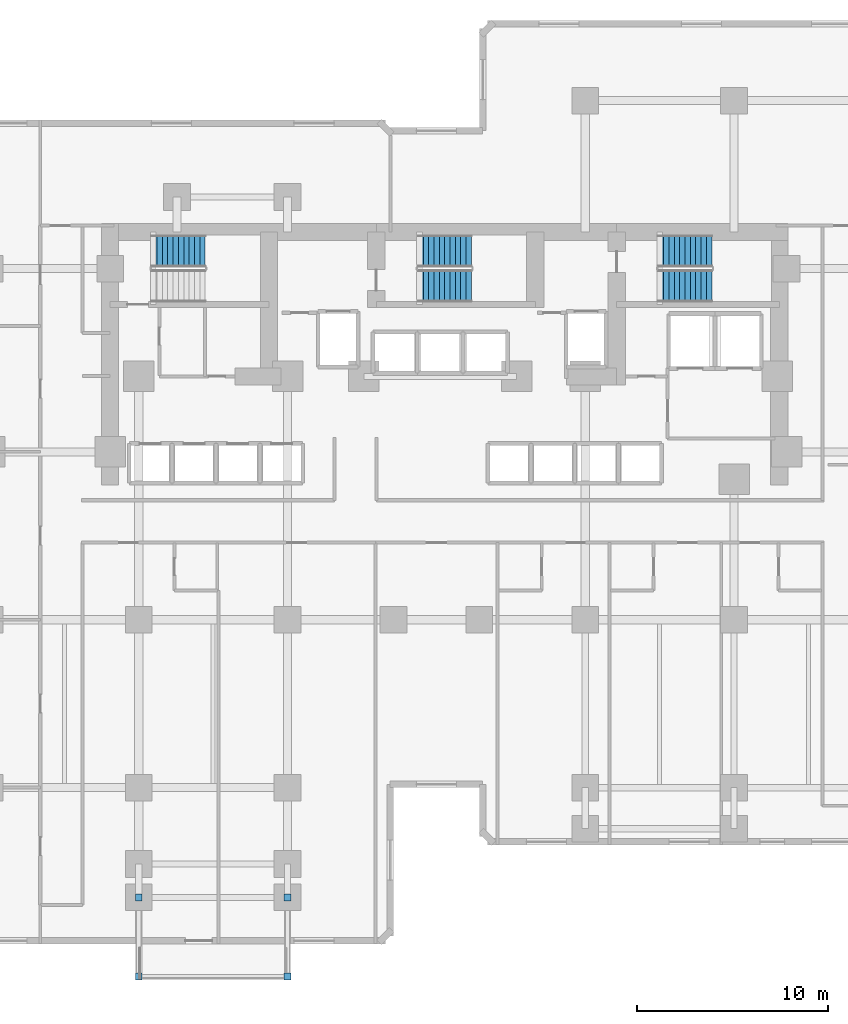
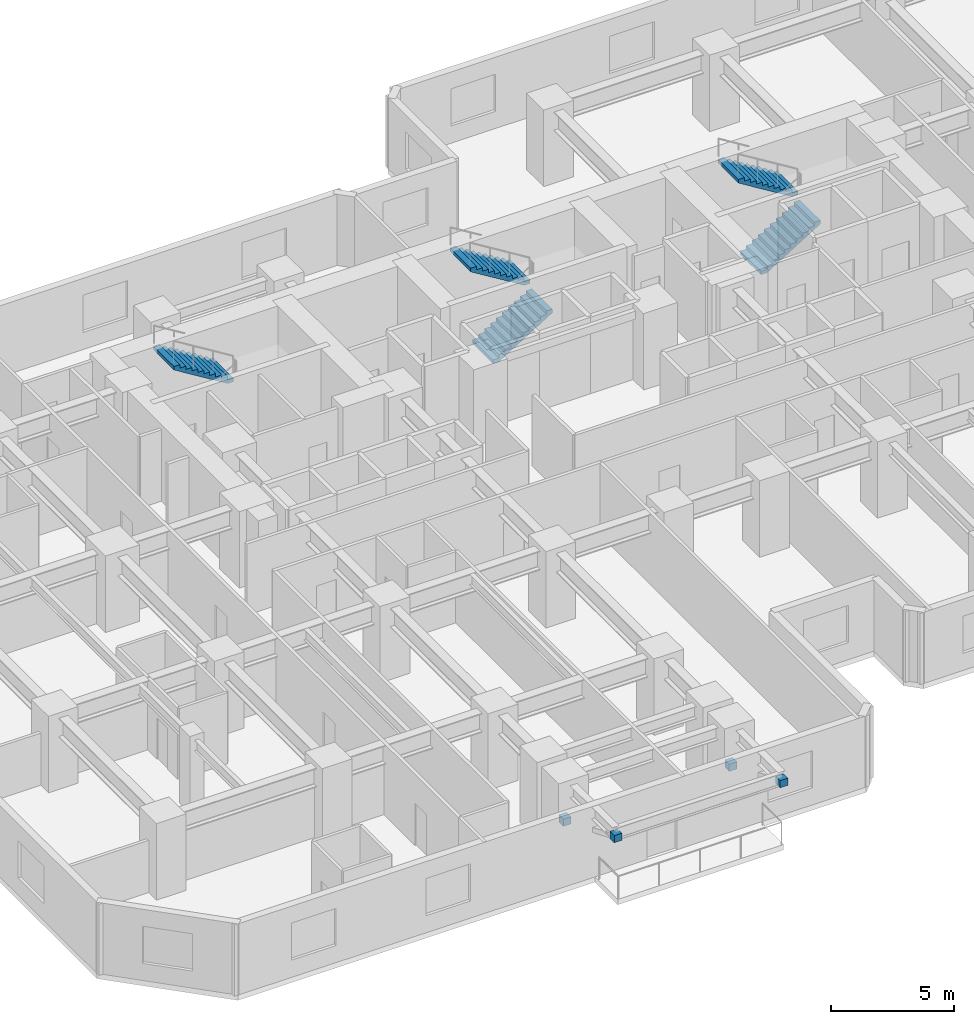
# One storey, part 10 of 12: 5 stair flights, 4 discrete accessories, 3 elements without a shape of their own.
"""IFC4 building model written with IfcOpenShell, lengths in metres."""

from ifc_helpers import new_model, si_unit, direction, frame, origin, origin_2d, place, context, subcontext, project, spatial, polyline, rectangle, outline, extrude, material, type_object, element, aggregate, save


model = new_model("IFC4")

# Units and contexts
model_context = context("Model", 3, precision=1e-05, world=origin(), true_north=direction((0.0, 1.0)))
body_context = subcontext(model_context, "Body", "Model", "MODEL_VIEW")
ifc_project = project(units=[si_unit("LENGTHUNIT", "METRE"), si_unit("AREAUNIT", "SQUARE_METRE"), si_unit("VOLUMEUNIT", "CUBIC_METRE"), si_unit("PLANEANGLEUNIT", "RADIAN"), si_unit("MASSUNIT", "GRAM", prefix="KILO")], contexts=[model_context])

# Site, building, storey
site_placement = place(None, origin())
site = spatial("IfcSite", under=ifc_project, at=site_placement, CompositionType="ELEMENT")
building_placement = place(site_placement, origin())
building = spatial("IfcBuilding", under=site, at=building_placement, Name="Kestravale Grand Hotel", CompositionType="ELEMENT")
storey_placement = place(building_placement, frame((0.0, 0.0, 67.800048828125)))
storey = spatial("IfcBuildingStorey", under=building, at=storey_placement, Name="L16", CompositionType="ELEMENT", Elevation=67.800048828125)

# Stair, stair flight
ifc_material_1 = material(Name="Concrete f'c 45 MPa", Category="concrete")
stair_type = type_object("IfcStairType", Name="ST-CORE-380", PredefinedType="HALF_TURN_STAIR", material=ifc_material_1)
stair_1_placement = place(storey_placement, origin())
stair_1 = element("IfcStair", 1, at=stair_1_placement, inside=storey, type_object=stair_type, Name="L16 ST-1", PredefinedType="HALF_TURN_STAIR")
ifc_material_2 = material(Name="Concrete f'c 45 MPa", Category="concrete")
stair_flight_type = type_object("IfcStairFlightType", Name="STF-CORE-380", PredefinedType="STRAIGHT", material=ifc_material_2)
stair_flight_1_placement = place(storey_placement, frame((26.8798828125, 39.320068359375, 1.89990234375), z_axis=(0.0, 0.0, 1.0), x_axis=(-1.0, 0.0, 0.0)))
stair_flight_1 = element("IfcStairFlight", 2, at=stair_flight_1_placement, type_object=stair_flight_type, Name="ST-1 flight 2", NumberOfRisers=11, NumberOfTreads=10, PredefinedType="STRAIGHT", RiserHeight=0.172727273, TreadLength=0.28, context=body_context, shape_type="SweptSolid", body=[
    extrude(outline(polyline([(0.0, 0.0), (0.0, 0.172607421875), (0.280029296875, 0.172607421875), (0.280029296875, 0.345458984375), (0.56005859375, 0.345458984375), (0.56005859375, 0.51806640625), (0.840087890625, 0.51806640625), (0.840087890625, 0.69091796875), (1.1201171875, 0.69091796875), (1.1201171875, 0.863525390625), (1.39990234375, 0.863525390625), (1.39990234375, 1.036376953125), (1.679931640625, 1.036376953125), (1.679931640625, 1.208984375), (1.9599609375, 1.208984375), (1.9599609375, 1.3818359375), (2.239990234375, 1.3818359375), (2.239990234375, 1.554443359375), (2.52001953125, 1.554443359375), (2.52001953125, 1.727294921875), (2.800048828125, 1.727294921875), (2.800048828125, 1.89990234375), (2.800048828125, 1.551025390625), (0.285400390625, 0.0), (0.0, 0.0)])), frame((0.0, 0.83984375, 0.0), z_axis=(0.0, -1.0, 0.0), x_axis=(1.0, 0.0, 0.0)), (0.0, 0.0, 1.0), 1.679931640625),
])
aggregate(stair_1, [stair_flight_1])

# Stair, stair flights
stair_2_placement = place(storey_placement, origin())
stair_2 = element("IfcStair", 3, at=stair_2_placement, inside=storey, type_object=stair_type, Name="L16 ST-2", PredefinedType="HALF_TURN_STAIR")
stair_flight_2_placement = place(storey_placement, frame((38.030029296875, 37.489990234375, 0.0), z_axis=(0.0, 0.0, 1.0), x_axis=(1.0, 0.0, 0.0)))
stair_flight_2 = element("IfcStairFlight", 4, at=stair_flight_2_placement, type_object=stair_flight_type, Name="ST-2 flight 1", NumberOfRisers=11, NumberOfTreads=10, PredefinedType="STRAIGHT", RiserHeight=0.172727273, TreadLength=0.28, context=body_context, shape_type="SweptSolid", body=[
    extrude(outline(polyline([(0.0, 0.0), (0.0, 0.172607421875), (0.280029296875, 0.172607421875), (0.280029296875, 0.345458984375), (0.56005859375, 0.345458984375), (0.56005859375, 0.51806640625), (0.840087890625, 0.51806640625), (0.840087890625, 0.69091796875), (1.1201171875, 0.69091796875), (1.1201171875, 0.863525390625), (1.39990234375, 0.863525390625), (1.39990234375, 1.036376953125), (1.679931640625, 1.036376953125), (1.679931640625, 1.208984375), (1.9599609375, 1.208984375), (1.9599609375, 1.3818359375), (2.239990234375, 1.3818359375), (2.239990234375, 1.554443359375), (2.52001953125, 1.554443359375), (2.52001953125, 1.727294921875), (2.800048828125, 1.727294921875), (2.800048828125, 1.89990234375), (2.800048828125, 1.551025390625), (0.285400390625, 0.0), (0.0, 0.0)])), frame((0.0, 0.83984375, 0.0), z_axis=(0.0, -1.0, 0.0), x_axis=(1.0, 0.0, 0.0)), (0.0, 0.0, 1.0), 1.679931640625),
])
stair_flight_3_placement = place(storey_placement, frame((40.830078125, 39.320068359375, 1.89990234375), z_axis=(0.0, 0.0, 1.0), x_axis=(-1.0, 0.0, 0.0)))
stair_flight_3 = element("IfcStairFlight", 5, at=stair_flight_3_placement, type_object=stair_flight_type, Name="ST-2 flight 2", NumberOfRisers=11, NumberOfTreads=10, PredefinedType="STRAIGHT", RiserHeight=0.172727273, TreadLength=0.28, context=body_context, shape_type="SweptSolid", body=[
    extrude(outline(polyline([(0.0, 0.0), (0.0, 0.172607421875), (0.280029296875, 0.172607421875), (0.280029296875, 0.345458984375), (0.56005859375, 0.345458984375), (0.56005859375, 0.51806640625), (0.840087890625, 0.51806640625), (0.840087890625, 0.69091796875), (1.1201171875, 0.69091796875), (1.1201171875, 0.863525390625), (1.39990234375, 0.863525390625), (1.39990234375, 1.036376953125), (1.679931640625, 1.036376953125), (1.679931640625, 1.208984375), (1.9599609375, 1.208984375), (1.9599609375, 1.3818359375), (2.239990234375, 1.3818359375), (2.239990234375, 1.554443359375), (2.52001953125, 1.554443359375), (2.52001953125, 1.727294921875), (2.800048828125, 1.727294921875), (2.800048828125, 1.89990234375), (2.800048828125, 1.551025390625), (0.285400390625, 0.0), (0.0, 0.0)])), frame((0.0, 0.83984375, 0.0), z_axis=(0.0, -1.0, 0.0), x_axis=(1.0, 0.0, 0.0)), (0.0, 0.0, 1.0), 1.679931640625),
])
aggregate(stair_2, [stair_flight_2, stair_flight_3])

stair_3_placement = place(storey_placement, origin())
stair_3 = element("IfcStair", 6, at=stair_3_placement, inside=storey, type_object=stair_type, Name="L16 ST-3", PredefinedType="HALF_TURN_STAIR")
stair_flight_4_placement = place(storey_placement, frame((50.6298828125, 37.489990234375, 0.0), z_axis=(0.0, 0.0, 1.0), x_axis=(1.0, 0.0, 0.0)))
stair_flight_4 = element("IfcStairFlight", 7, at=stair_flight_4_placement, type_object=stair_flight_type, Name="ST-3 flight 1", NumberOfRisers=11, NumberOfTreads=10, PredefinedType="STRAIGHT", RiserHeight=0.172727273, TreadLength=0.28, context=body_context, shape_type="SweptSolid", body=[
    extrude(outline(polyline([(0.0, 0.0), (0.0, 0.172607421875), (0.280029296875, 0.172607421875), (0.280029296875, 0.345458984375), (0.56005859375, 0.345458984375), (0.56005859375, 0.51806640625), (0.840087890625, 0.51806640625), (0.840087890625, 0.69091796875), (1.1201171875, 0.69091796875), (1.1201171875, 0.863525390625), (1.39990234375, 0.863525390625), (1.39990234375, 1.036376953125), (1.679931640625, 1.036376953125), (1.679931640625, 1.208984375), (1.9599609375, 1.208984375), (1.9599609375, 1.3818359375), (2.239990234375, 1.3818359375), (2.239990234375, 1.554443359375), (2.52001953125, 1.554443359375), (2.52001953125, 1.727294921875), (2.800048828125, 1.727294921875), (2.800048828125, 1.89990234375), (2.800048828125, 1.551025390625), (0.285400390625, 0.0), (0.0, 0.0)])), frame((0.0, 0.83984375, 0.0), z_axis=(0.0, -1.0, 0.0), x_axis=(1.0, 0.0, 0.0)), (0.0, 0.0, 1.0), 1.679931640625),
])
stair_flight_5_placement = place(storey_placement, frame((53.429931640625, 39.320068359375, 1.89990234375), z_axis=(0.0, 0.0, 1.0), x_axis=(-1.0, 0.0, 0.0)))
stair_flight_5 = element("IfcStairFlight", 8, at=stair_flight_5_placement, type_object=stair_flight_type, Name="ST-3 flight 2", NumberOfRisers=11, NumberOfTreads=10, PredefinedType="STRAIGHT", RiserHeight=0.172727273, TreadLength=0.28, context=body_context, shape_type="SweptSolid", body=[
    extrude(outline(polyline([(0.0, 0.0), (0.0, 0.172607421875), (0.280029296875, 0.172607421875), (0.280029296875, 0.345458984375), (0.56005859375, 0.345458984375), (0.56005859375, 0.51806640625), (0.840087890625, 0.51806640625), (0.840087890625, 0.69091796875), (1.1201171875, 0.69091796875), (1.1201171875, 0.863525390625), (1.39990234375, 0.863525390625), (1.39990234375, 1.036376953125), (1.679931640625, 1.036376953125), (1.679931640625, 1.208984375), (1.9599609375, 1.208984375), (1.9599609375, 1.3818359375), (2.239990234375, 1.3818359375), (2.239990234375, 1.554443359375), (2.52001953125, 1.554443359375), (2.52001953125, 1.727294921875), (2.800048828125, 1.727294921875), (2.800048828125, 1.89990234375), (2.800048828125, 1.551025390625), (0.285400390625, 0.0), (0.0, 0.0)])), frame((0.0, 0.83984375, 0.0), z_axis=(0.0, -1.0, 0.0), x_axis=(1.0, 0.0, 0.0)), (0.0, 0.0, 1.0), 1.679931640625),
])
aggregate(stair_3, [stair_flight_4, stair_flight_5])

# Discrete accessories
ifc_material_3 = material(Name="Steel ASTM A572 Grade 50 hot-dip galvanised bracket", Category="steel")
discrete_accessory_type = type_object("IfcDiscreteAccessoryType", Name="ACC-BRK-STL", PredefinedType="BRACKET", material=ifc_material_3)
for number, where, z_axis, x_axis, name in (
    (9, (23.39990234375, 5.449951171875, 1.19384765625), (0.0, 0.0, 1.0), (1.0, 0.0, 0.0), "L17 terrace strut column bracket 1"),
    (10, (23.39990234375, 1.300048828125, 2.89404296875), (0.0, 0.0, 1.0), (1.0, 0.0, 0.0), "L17 terrace strut beam bracket 1"),
    (11, (31.199951171875, 5.449951171875, 1.19384765625), (0.0, 0.0, 1.0), (1.0, 0.0, 0.0), "L17 terrace strut column bracket 2"),
    (12, (31.199951171875, 1.300048828125, 2.89404296875), (0.0, 0.0, 1.0), (1.0, 0.0, 0.0), "L17 terrace strut beam bracket 2"),
):
    element("IfcDiscreteAccessory", number, at=place(storey_placement, frame(where, z_axis=z_axis, x_axis=x_axis)), inside=storey, type_object=discrete_accessory_type, Name=name, PredefinedType="BRACKET", context=body_context, shape_type="SweptSolid", body=[
        extrude(rectangle(XDim=0.360107421875, YDim=0.360107421875, at=origin_2d()), origin(), (0.0, 0.0, 1.0), 0.360107421875),
    ])

save(model, "model.ifc")
